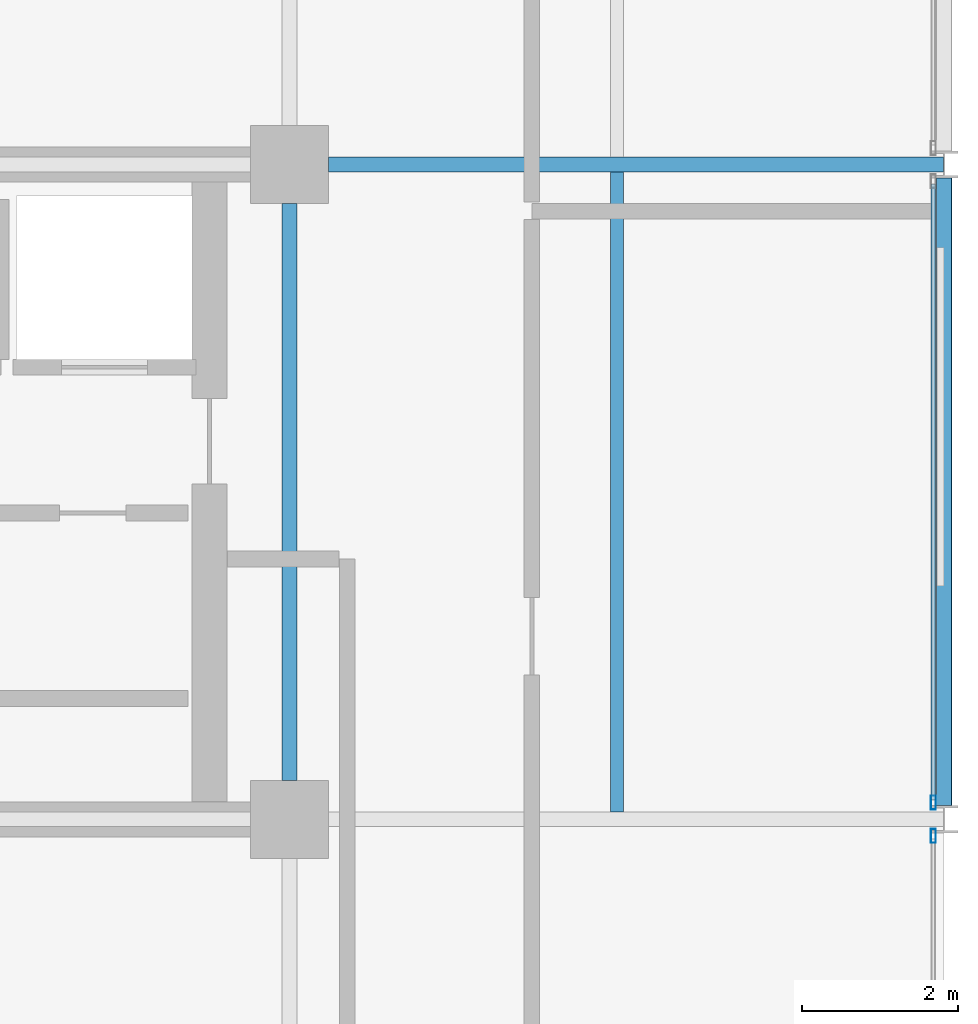
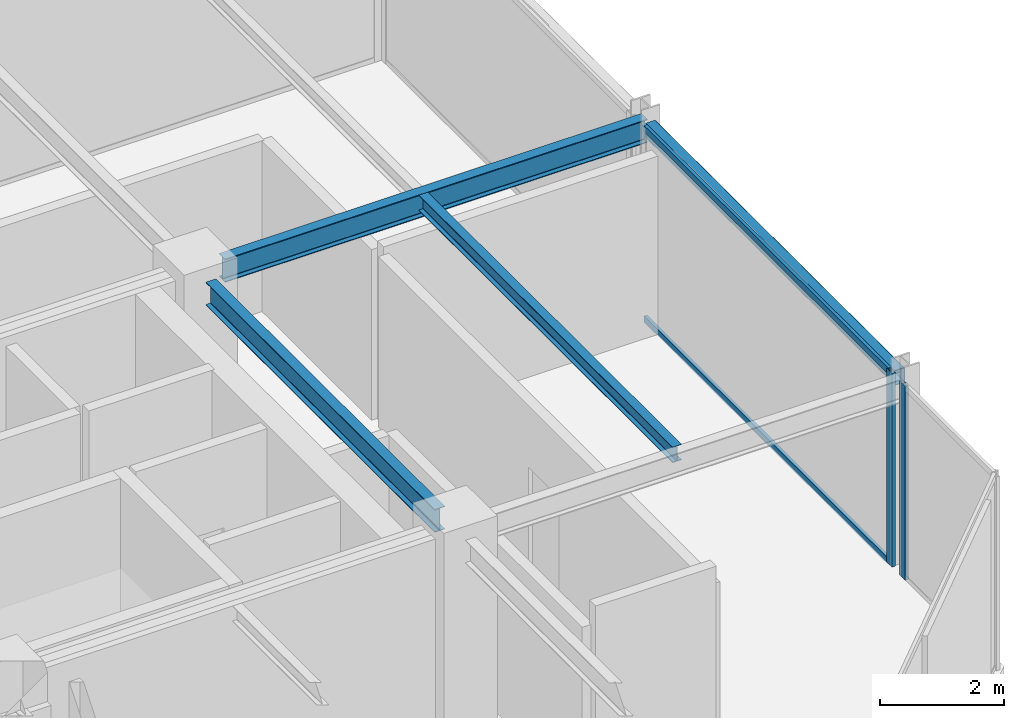
# One storey, part 14 of 25: 4 beams, 4 members, 2 elements without a shape of their own.
"""IFC4 building model written with IfcOpenShell, lengths in metres."""

from ifc_helpers import new_model, si_unit, direction, frame, origin, origin_2d, place, context, subcontext, project, spatial, hollow_rectangle, i_section, extrude, material, layer, layer_set, material_profile, profile_set, type_object, element, aggregate, save


model = new_model("IFC4")

# Units and contexts
model_context = context("Model", 3, precision=1e-05, world=origin(), true_north=direction((0.0, 1.0)))
body_context = subcontext(model_context, "Body", "Model", "MODEL_VIEW")
ifc_project = project(units=[si_unit("LENGTHUNIT", "METRE"), si_unit("AREAUNIT", "SQUARE_METRE"), si_unit("VOLUMEUNIT", "CUBIC_METRE"), si_unit("PLANEANGLEUNIT", "RADIAN"), si_unit("MASSUNIT", "GRAM", prefix="KILO")], contexts=[model_context])

# Site, building, storey
site_placement = place(None, origin())
site = spatial("IfcSite", under=ifc_project, at=site_placement, CompositionType="ELEMENT")
building_placement = place(site_placement, origin())
building = spatial("IfcBuilding", under=site, at=building_placement, Name="Nerrivon Quay Data Exchange", CompositionType="ELEMENT")
storey_placement = place(building_placement, frame((0.0, 0.0, 232.89990234375)))
storey = spatial("IfcBuildingStorey", under=building, at=storey_placement, Name="L55", CompositionType="ELEMENT", Elevation=232.89990234375)

# Beams
ifc_material_1 = material(Name="Steel Grade 350", Category="steel")
ifc_material_profile_1 = material_profile(ifc_material_1, i_section(OverallWidth=0.19091796875, OverallDepth=0.4599609375, WebThickness=0.010009765625, FlangeThickness=0.01611328125, FilletRadius=0.011474609375, at=origin_2d()), Name="460UB82.1")
ifc_profile_set_1 = profile_set([ifc_material_profile_1], Name="Steel Grade 350")
beam_type_1 = type_object("IfcBeamType", Name="BM-G5-460UB82", PredefinedType="BEAM", material=ifc_profile_set_1)
beam_1_placement = place(storey_placement, frame((34.10009765625, 16.800048828125, 3.59521484375), z_axis=(1.0, 0.0, 0.0), x_axis=(0.0, 1.0, 0.0)))
element("IfcBeam", 1, at=beam_1_placement, inside=storey, type_object=beam_type_1, Name="L55 EW Girder Y=16.8 (33.6..42.0)", PredefinedType="BEAM", context=body_context, shape_type="SweptSolid", body=[
    extrude(i_section(OverallWidth=0.19091796875, OverallDepth=0.4599609375, WebThickness=0.010009765625, FlangeThickness=0.01611328125, FilletRadius=0.011474609375, at=origin_2d()), origin(), (0.0, 0.0, 1.0), 7.889892578125),
])
ifc_material_profile_2 = material_profile(ifc_material_1, i_section(OverallWidth=0.18994140625, OverallDepth=0.4541015625, WebThickness=0.008544921875, FlangeThickness=0.0126953125, FilletRadius=0.011474609375, at=origin_2d()), Name="460UB67.1")
ifc_profile_set_2 = profile_set([ifc_material_profile_2], Name="Steel Grade 350")
beam_type_2 = type_object("IfcBeamType", Name="BM-G6-460UB67", PredefinedType="BEAM", material=ifc_profile_set_2)
beam_2_placement = place(storey_placement, frame((33.60009765625, 8.89990234375, 3.59814453125), z_axis=(0.0, 1.0, 0.0), x_axis=(-1.0, 0.0, 0.0)))
element("IfcBeam", 2, at=beam_2_placement, inside=storey, type_object=beam_type_2, Name="L55 NS Girder X=33.6 (8.4..16.8)", PredefinedType="BEAM", context=body_context, shape_type="SweptSolid", body=[
    extrude(i_section(OverallWidth=0.18994140625, OverallDepth=0.4541015625, WebThickness=0.008544921875, FlangeThickness=0.0126953125, FilletRadius=0.011474609375, at=origin_2d()), origin(), (0.0, 0.0, 1.0), 7.400146484375),
])
ifc_material_profile_3 = material_profile(ifc_material_1, i_section(OverallWidth=0.166015625, OverallDepth=0.306884765625, WebThickness=0.006591796875, FlangeThickness=0.01171875, FilletRadius=0.011474609375, at=origin_2d()), Name="310UB46.2")
ifc_profile_set_3 = profile_set([ifc_material_profile_3], Name="Steel Grade 350")
beam_type_3 = type_object("IfcBeamType", Name="BM-J5-310UB46", PredefinedType="JOIST", material=ifc_profile_set_3)
beam_3_placement = place(storey_placement, frame((37.800048828125, 8.49560546875, 3.671630859375), z_axis=(0.0, 1.0, 0.0), x_axis=(-1.0, 0.0, 0.0)))
element("IfcBeam", 3, at=beam_3_placement, inside=storey, type_object=beam_type_3, Name="L55 Secondary Joist X=37.8 (8.4..16.8)", PredefinedType="JOIST", context=body_context, shape_type="SweptSolid", body=[
    extrude(i_section(OverallWidth=0.166015625, OverallDepth=0.306884765625, WebThickness=0.006591796875, FlangeThickness=0.01171875, FilletRadius=0.011474609375, at=origin_2d()), origin(), (0.0, 0.0, 1.0), 8.208984375),
])
ifc_material_2 = material(Name="Steel Grade C350L0 (350 MPa)", Category="steel")
ifc_material_profile_4 = material_profile(ifc_material_2, hollow_rectangle(XDim=0.199951171875, YDim=0.300048828125, WallThickness=0.012451171875, InnerFilletRadius=0.018798828125, OuterFilletRadius=0.03125, at=origin_2d()), Name="300x200x12.5RHS")
ifc_profile_set_4 = profile_set([ifc_material_profile_4], Name="Steel Grade C350L0 (350 MPa)")
beam_type_4 = type_object("IfcBeamType", Name="BM-SP3-300x200RHS", PredefinedType="SPANDREL", material=ifc_profile_set_4)
beam_4_placement = place(storey_placement, frame((42.0, 8.574951171875, 3.675048828125), z_axis=(0.0, 1.0, 0.0), x_axis=(-1.0, 0.0, 0.0)))
element("IfcBeam", 4, at=beam_4_placement, inside=storey, type_object=beam_type_4, Name="L55 NS Girder X=42.0 (8.4..16.8)", PredefinedType="SPANDREL", context=body_context, shape_type="SweptSolid", body=[
    extrude(hollow_rectangle(XDim=0.199951171875, YDim=0.300048828125, WallThickness=0.012451171875, InnerFilletRadius=0.018798828125, OuterFilletRadius=0.03125, at=origin_2d()), origin(), (0.0, 0.0, 1.0), 8.050048828125),
])

# Curtain wall, member
ifc_material_3 = material(Name="Anodised aluminium 6063-T6", Category="aluminium")
ifc_layer = layer(ifc_material_3, 0.195068359375)
ifc_layer_set = layer_set([ifc_layer], Name="Anodised aluminium 6063-T6")
curtain_wall_type = type_object("IfcCurtainWallType", Name="CW-SYS-06", PredefinedType="NOTDEFINED", material=ifc_layer_set)
curtain_wall_1_placement = place(storey_placement, origin())
curtain_wall_1 = element("IfcCurtainWall", 5, at=curtain_wall_1_placement, inside=storey, type_object=curtain_wall_type, Name="L55 Unitised Curtain Wall 27", PredefinedType="NOTDEFINED")
ifc_material_profile_5 = material_profile(ifc_material_3, hollow_rectangle(XDim=0.06494140625, YDim=0.179931640625, WallThickness=0.00341796875, at=origin_2d()), Name="ALU-MULL-180x65")
ifc_profile_set_5 = profile_set([ifc_material_profile_5], Name="Anodised aluminium 6063-T6")
member_type_1 = type_object("IfcMemberType", Name="CWM-180x65", PredefinedType="MULLION", material=ifc_profile_set_5)
member_1_placement = place(storey_placement, frame((41.860107421875, 8.612548828125, 0.0), z_axis=(0.0, 0.0, 1.0), x_axis=(1.0, 0.0, 0.0)))
member_1 = element("IfcMember", 6, at=member_1_placement, type_object=member_type_1, Name="CW06 mullion 2", PredefinedType="MULLION", context=body_context, shape_type="SweptSolid", body=[
    extrude(hollow_rectangle(XDim=0.06494140625, YDim=0.179931640625, WallThickness=0.00341796875, at=origin_2d()), origin(), (0.0, 0.0, 1.0), 3.8251953125),
])

curtain_wall_2_placement = place(storey_placement, origin())
curtain_wall_2 = element("IfcCurtainWall", 7, at=curtain_wall_2_placement, inside=storey, type_object=curtain_wall_type, Name="L55 Unitised Curtain Wall 28", PredefinedType="NOTDEFINED")
member_2_placement = place(storey_placement, frame((41.860107421875, 8.1875, 0.0), z_axis=(0.0, 0.0, 1.0), x_axis=(1.0, 0.0, 0.0)))
member_2 = element("IfcMember", 8, at=member_2_placement, type_object=member_type_1, Name="CW06 mullion 1", PredefinedType="MULLION", context=body_context, shape_type="SweptSolid", body=[
    extrude(hollow_rectangle(XDim=0.06494140625, YDim=0.179931640625, WallThickness=0.00341796875, at=origin_2d()), origin(), (0.0, 0.0, 1.0), 3.8251953125),
])
aggregate(curtain_wall_2, [member_2])

# Member
ifc_material_profile_6 = material_profile(ifc_material_3, hollow_rectangle(XDim=0.06005859375, YDim=0.1201171875, WallThickness=0.003173828125, at=origin_2d()), Name="ALU-TRAN-120x60")
ifc_profile_set_6 = profile_set([ifc_material_profile_6], Name="Anodised aluminium 6063-T6")
member_type_2 = type_object("IfcMemberType", Name="CWT-120x60", PredefinedType="USERDEFINED", material=ifc_profile_set_6)
member_3_placement = place(storey_placement, frame((41.860107421875, 16.550048828125, 0.03271484375), z_axis=(0.0, -1.0, 0.0), x_axis=(1.0, 0.0, 0.0)))
member_3 = element("IfcMember", 9, at=member_3_placement, type_object=member_type_2, Name="CW06 transom 1.1", ObjectType="TRANSOM", PredefinedType="USERDEFINED", context=body_context, shape_type="SweptSolid", body=[
    extrude(hollow_rectangle(XDim=0.06005859375, YDim=0.1201171875, WallThickness=0.003173828125, at=origin_2d()), origin(), (0.0, 0.0, 1.0), 7.900146484375),
])

member_4_placement = place(storey_placement, frame((41.860107421875, 16.550048828125, 3.79248046875), z_axis=(0.0, -1.0, 0.0), x_axis=(1.0, 0.0, 0.0)))
member_4 = element("IfcMember", 10, at=member_4_placement, type_object=member_type_2, Name="CW06 transom 1.2", ObjectType="TRANSOM", PredefinedType="USERDEFINED", context=body_context, shape_type="SweptSolid", body=[
    extrude(hollow_rectangle(XDim=0.06005859375, YDim=0.1201171875, WallThickness=0.003173828125, at=origin_2d()), origin(), (0.0, 0.0, 1.0), 7.900146484375),
])

aggregate(curtain_wall_1, [member_1, member_3, member_4])

save(model, "model.ifc")
